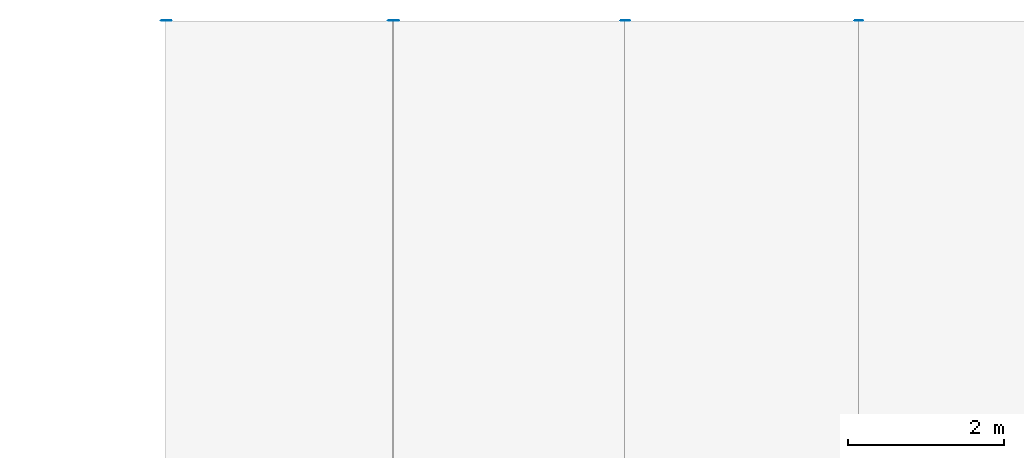
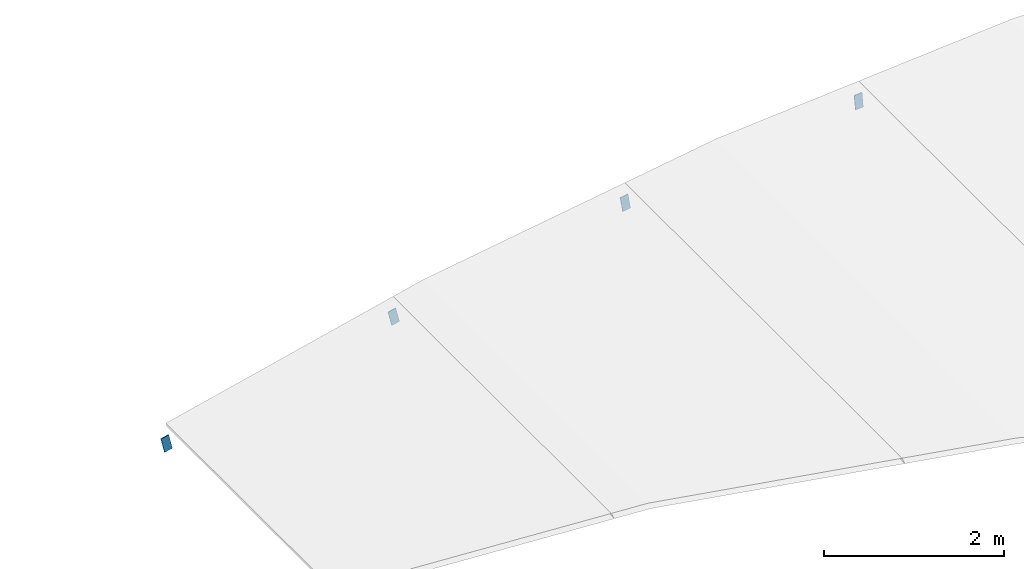
# One storey, part 10 of 13: 4 discrete accessories.
"""IFC4 building model written with IfcOpenShell, lengths in metres."""

from ifc_helpers import new_model, si_unit, direction, frame, origin, origin_2d, place, context, subcontext, project, spatial, rectangle, extrude, material, material_profile, profile_set, type_object, element, save


model = new_model("IFC4")

# Units and contexts
model_context = context("Model", 3, precision=1e-05, world=origin(), true_north=direction((0.0, 1.0)))
body_context = subcontext(model_context, "Body", "Model", "MODEL_VIEW")
ifc_project = project(units=[si_unit("LENGTHUNIT", "METRE"), si_unit("AREAUNIT", "SQUARE_METRE"), si_unit("VOLUMEUNIT", "CUBIC_METRE"), si_unit("PLANEANGLEUNIT", "RADIAN"), si_unit("MASSUNIT", "GRAM", prefix="KILO")], contexts=[model_context])

# Site, building, storey
site_placement = place(None, origin())
site = spatial("IfcSite", under=ifc_project, at=site_placement, CompositionType="ELEMENT")
building_placement = place(site_placement, origin())
building = spatial("IfcBuilding", under=site, at=building_placement, Name="Verrick Yard Athletic Hall", CompositionType="ELEMENT")
storey_placement = place(building_placement, frame((0.0, 0.0, 21.5)))
storey = spatial("IfcBuildingStorey", under=building, at=storey_placement, Name="Upper Roof", CompositionType="ELEMENT", Elevation=21.5)

# Discrete accessories
ifc_material = material(Name="Structural steel 350W (CSA G40.21)", Category="steel")
ifc_material_profile = material_profile(ifc_material, rectangle(XDim=0.1015625, YDim=0.203125, at=origin_2d()), Name="STR End cap plate 203x102x9.5")
ifc_profile_set = profile_set([ifc_material_profile], Name="Structural steel 350W (CSA G40.21)")
discrete_accessory_type = type_object("IfcDiscreteAccessoryType", Name="STR End cap plate 203x102x9.5", PredefinedType="BRACKET", material=ifc_profile_set)
for number, where, z_axis, x_axis, name in (
    (1, (135.776123046875, 108.0, 0.459228515625), (0.0, 1.0, 0.0), (-0.972458956474, 0.0, -0.23307418985), "End cap HB-PU-A-5-6 B"),
    (2, (132.858642578125, 108.0, -0.239990234375), (0.0, 1.0, 0.0), (-0.972458956474, 0.0, -0.23307418985), "End cap HB-PU-A-5-5 B"),
    (3, (138.750244140625, 108.0, 0.964599609375), (0.0, 1.0, 0.0), (-0.987728086354, 0.0, -0.156183313539), "End cap HB-PU-A-5-7 B"),
    (4, (141.747802734375, 108.0, 1.294677734375), (0.0, 1.0, 0.0), (-0.996927304266, 0.0, -0.078332305011), "End cap HB-PU-A-5-8 B"),
):
    element("IfcDiscreteAccessory", number, at=place(storey_placement, frame(where, z_axis=z_axis, x_axis=x_axis)), inside=storey, type_object=discrete_accessory_type, Name=name, PredefinedType="BRACKET", context=body_context, shape_type="SweptSolid", body=[
        extrude(rectangle(XDim=0.1015625, YDim=0.203125, at=origin_2d()), origin(), (0.0, 0.0, 1.0), 0.010009765625),
    ])

save(model, "model.ifc")
